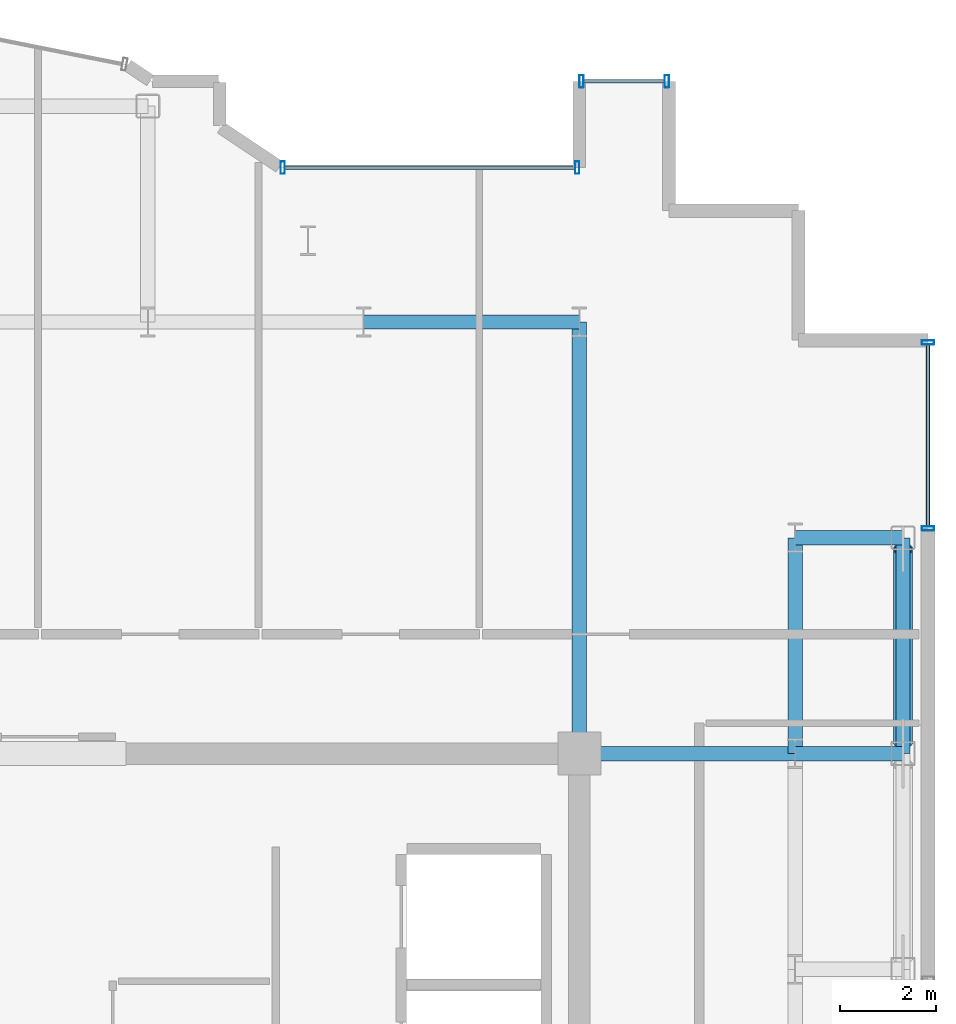
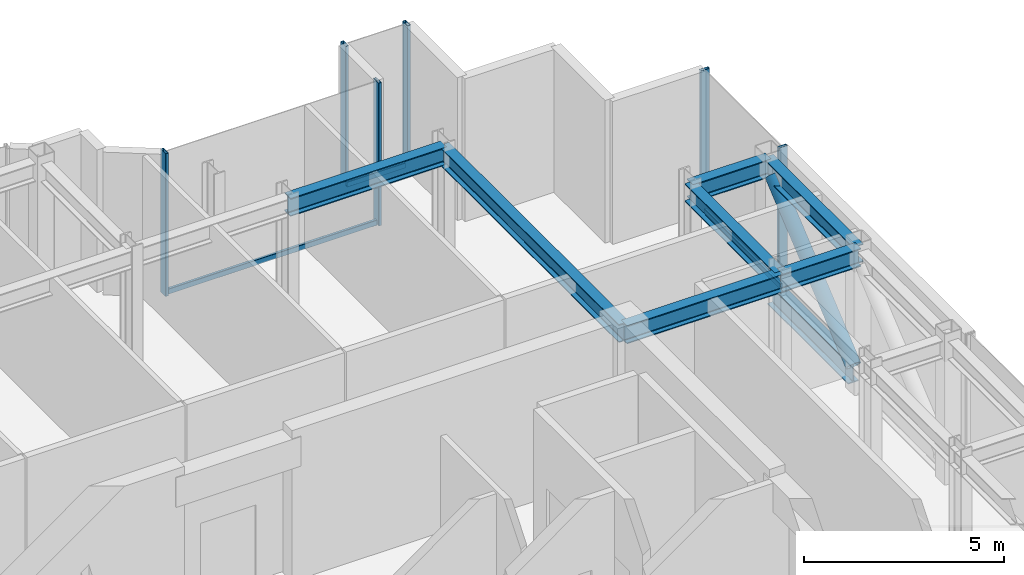
# One storey, part 11 of 18: 11 members, 7 beams, 3 elements without a shape of their own.
"""IFC4 building model written with IfcOpenShell, lengths in metres."""

from ifc_helpers import new_model, si_unit, direction, frame, origin, origin_2d, place, context, subcontext, project, spatial, hollow_rectangle, hollow_circle, i_section, extrude, source, transform, mapped, material, layer, layer_set, material_profile, profile_set, type_object, element, aggregate, save


model = new_model("IFC4")

# Units and contexts
model_context = context("Model", 3, precision=1e-05, world=origin(), true_north=direction((0.0, 1.0)))
body_context = subcontext(model_context, "Body", "Model", "MODEL_VIEW")
ifc_project = project(units=[si_unit("LENGTHUNIT", "METRE"), si_unit("AREAUNIT", "SQUARE_METRE"), si_unit("VOLUMEUNIT", "CUBIC_METRE"), si_unit("PLANEANGLEUNIT", "RADIAN"), si_unit("MASSUNIT", "GRAM", prefix="KILO")], contexts=[model_context])

# Site, building, storey
site_placement = place(None, origin())
site = spatial("IfcSite", under=ifc_project, at=site_placement, CompositionType="ELEMENT")
building_placement = place(site_placement, origin())
building = spatial("IfcBuilding", under=site, at=building_placement, Name="Nefas-Gora Pilgrimage Tower", CompositionType="ELEMENT")
storey_placement = place(building_placement, frame((0.0, 0.0, 317.800048828125)))
storey = spatial("IfcBuildingStorey", under=building, at=storey_placement, Name="L80", CompositionType="ELEMENT", Elevation=317.800048828125)

# Beams
ifc_material_1 = material(Name="Steel S355", Category="steel")
ifc_material_profile_1 = material_profile(ifc_material_1, i_section(OverallWidth=0.300048828125, OverallDepth=0.550048828125, WebThickness=0.014892578125, FlangeThickness=0.029052734375, FilletRadius=0.027099609375, at=origin_2d()), Name="HEB 550")
ifc_profile_set_1 = profile_set([ifc_material_profile_1], Name="Steel S355")
beam_type_1 = type_object("IfcBeamType", Name="BM-SPN-HEB400", PredefinedType="SPANDREL", material=ifc_profile_set_1)
shared_shape_1 = source(origin(), body_context, "Body", "SweptSolid", [
    extrude(i_section(OverallWidth=0.300048828125, OverallDepth=0.550048828125, WebThickness=0.014892578125, FlangeThickness=0.029052734375, FilletRadius=0.027099609375, at=origin_2d()), origin(), (0.0, 0.0, 1.0), 4.5),
])
beam_1_placement = place(storey_placement, frame((18.0, 9.0, 4.074951171875), z_axis=(0.0, 1.0, 0.0), x_axis=(-1.0, 0.0, 0.0)))
element("IfcBeam", 1, at=beam_1_placement, inside=storey, type_object=beam_type_1, Name="L80 SP-04 beam", PredefinedType="SPANDREL", context=body_context, shape_type="MappedRepresentation", body=[
    mapped(shared_shape_1, transform((0.0, 0.0, 0.0), x_axis=(1.0, 0.0, 0.0), y_axis=(0.0, 1.0, 0.0), z_axis=(0.0, 0.0, 1.0), scale=1.0)),
])
ifc_material_profile_2 = material_profile(ifc_material_1, i_section(OverallWidth=0.300048828125, OverallDepth=0.550048828125, WebThickness=0.014892578125, FlangeThickness=0.029052734375, FilletRadius=0.027099609375, at=origin_2d()), Name="HEB 550")
ifc_profile_set_2 = profile_set([ifc_material_profile_2], Name="Steel S355")
beam_type_2 = type_object("IfcBeamType", Name="BM-GIR-HEB550", PredefinedType="BEAM", material=ifc_profile_set_2)
shared_shape_2 = source(origin(), body_context, "Body", "SweptSolid", [
    extrude(i_section(OverallWidth=0.300048828125, OverallDepth=0.550048828125, WebThickness=0.014892578125, FlangeThickness=0.029052734375, FilletRadius=0.027099609375, at=origin_2d()), origin(), (0.0, 0.0, 1.0), 9.0),
])
beam_2_placement = place(storey_placement, frame((11.25, 9.0, 4.074951171875), z_axis=(0.0, 1.0, 0.0), x_axis=(-1.0, 0.0, 0.0)))
element("IfcBeam", 2, at=beam_2_placement, inside=storey, type_object=beam_type_2, Name="L80 G-05 beam", PredefinedType="BEAM", context=body_context, shape_type="MappedRepresentation", body=[
    mapped(shared_shape_2, transform((0.0, 0.0, 0.0), x_axis=(1.0, 0.0, 0.0), y_axis=(0.0, 1.0, 0.0), z_axis=(0.0, 0.0, 1.0), scale=1.0)),
])
shared_shape_3 = source(origin(), body_context, "Body", "SweptSolid", [
    extrude(i_section(OverallWidth=0.300048828125, OverallDepth=0.550048828125, WebThickness=0.014892578125, FlangeThickness=0.029052734375, FilletRadius=0.027099609375, at=origin_2d()), origin(), (0.0, 0.0, 1.0), 4.5),
])
for number, where, z_axis, x_axis, name in (
    (3, (6.75, 18.0, 4.074951171875), (1.0, 0.0, 0.0), (0.0, 1.0, 0.0), "L80 G-05 beam"),
    (4, (11.25, 9.0, 4.074951171875), (1.0, 0.0, 0.0), (0.0, 1.0, 0.0), "L80 G-05 beam"),
    (5, (15.75, 9.0, 4.074951171875), (0.0, 1.0, 0.0), (-1.0, 0.0, 0.0), "L80 G-05 beam"),
):
    element("IfcBeam", number, at=place(storey_placement, frame(where, z_axis=z_axis, x_axis=x_axis)), inside=storey, type_object=beam_type_2, Name=name, PredefinedType="BEAM", context=body_context, shape_type="MappedRepresentation", body=[
        mapped(shared_shape_3, transform((0.0, 0.0, 0.0), x_axis=(1.0, 0.0, 0.0), y_axis=(0.0, 1.0, 0.0), z_axis=(0.0, 0.0, 1.0), scale=1.0)),
    ])
shared_shape_4 = source(origin(), body_context, "Body", "SweptSolid", [
    extrude(i_section(OverallWidth=0.300048828125, OverallDepth=0.550048828125, WebThickness=0.014892578125, FlangeThickness=0.029052734375, FilletRadius=0.027099609375, at=origin_2d()), origin(), (0.0, 0.0, 1.0), 2.25),
])
for number, where, z_axis, x_axis, name in (
    (6, (15.75, 9.0, 4.074951171875), (1.0, 0.0, 0.0), (0.0, 1.0, 0.0), "L80 G-05 beam"),
    (7, (15.75, 13.5, 4.074951171875), (1.0, 0.0, 0.0), (0.0, 1.0, 0.0), "L80 G-05 beam"),
):
    element("IfcBeam", number, at=place(storey_placement, frame(where, z_axis=z_axis, x_axis=x_axis)), inside=storey, type_object=beam_type_2, Name=name, PredefinedType="BEAM", context=body_context, shape_type="MappedRepresentation", body=[
        mapped(shared_shape_4, transform((0.0, 0.0, 0.0), x_axis=(1.0, 0.0, 0.0), y_axis=(0.0, 1.0, 0.0), z_axis=(0.0, 0.0, 1.0), scale=1.0)),
    ])

# Members
ifc_material_2 = material(Name="Steel S460", Category="steel")
ifc_material_profile_3 = material_profile(ifc_material_2, hollow_circle(Radius=0.203125, WallThickness=0.02490234375, at=origin_2d()), Name="CHS 406.4x25")
ifc_profile_set_3 = profile_set([ifc_material_profile_3], Name="Steel S460")
member_type_1 = type_object("IfcMemberType", Name="MEM-BELT-406", PredefinedType="BRACE", material=ifc_profile_set_3)
shared_shape_5 = source(origin(), body_context, "Body", "SweptSolid", [
    extrude(hollow_circle(Radius=0.203125, WallThickness=0.02490234375, at=origin_2d()), origin(), (0.0, 0.0, 1.0), 5.238037109375),
])
member_1_placement = place(storey_placement, frame((18.0, 9.238037109375, 0.54833984375), z_axis=(0.0, 0.768221279597, 0.640184399664), x_axis=(-1.0, 0.0, 0.0)))
element("IfcMember", 8, at=member_1_placement, inside=storey, type_object=member_type_1, Name="L80 Perimeter Belt-Truss Diagonal 8", PredefinedType="BRACE", context=body_context, shape_type="MappedRepresentation", body=[
    mapped(shared_shape_5, transform((0.0, 0.0, 0.0), x_axis=(1.0, 0.0, 0.0), y_axis=(0.0, 1.0, 0.0), z_axis=(0.0, 0.0, 1.0), scale=1.0)),
])
ifc_material_profile_4 = material_profile(ifc_material_2, i_section(OverallWidth=0.300048828125, OverallDepth=0.64990234375, WebThickness=0.01611328125, FlangeThickness=0.031005859375, FilletRadius=0.027099609375, at=origin_2d()), Name="HEB 650")
ifc_profile_set_4 = profile_set([ifc_material_profile_4], Name="Steel S460")
member_type_2 = type_object("IfcMemberType", Name="MEM-BELT-CHORD", PredefinedType="CHORD", material=ifc_profile_set_4)
shared_shape_6 = source(origin(), body_context, "Body", "SweptSolid", [
    extrude(i_section(OverallWidth=0.300048828125, OverallDepth=0.64990234375, WebThickness=0.01611328125, FlangeThickness=0.031005859375, FilletRadius=0.027099609375, at=origin_2d()), origin(), (0.0, 0.0, 1.0), 4.02392578125),
])
member_2_placement = place(storey_placement, frame((18.0, 9.238037109375, 0.349853515625), z_axis=(0.0, 1.0, 0.0), x_axis=(-1.0, 0.0, 0.0)))
element("IfcMember", 9, at=member_2_placement, inside=storey, type_object=member_type_2, Name="L80 Perimeter Belt-Truss Bottom Chord 8", PredefinedType="CHORD", context=body_context, shape_type="MappedRepresentation", body=[
    mapped(shared_shape_6, transform((0.0, 0.0, 0.0), x_axis=(1.0, 0.0, 0.0), y_axis=(0.0, 1.0, 0.0), z_axis=(0.0, 0.0, 1.0), scale=1.0)),
])

# Curtain wall, member
ifc_material_3 = material(Name="Dark ceramic-fritted solar-control aluminium-glass curtain wall", Category="aluminium")
ifc_layer_1 = layer(ifc_material_3, 0.219970703125)
ifc_layer_set_1 = layer_set([ifc_layer_1], Name="Dark ceramic-fritted solar-control aluminium-glass curtain wall")
curtain_wall_type_1 = type_object("IfcCurtainWallType", Name="CW-SYS-5", PredefinedType="NOTDEFINED", material=ifc_layer_set_1)
curtain_wall_1_placement = place(storey_placement, origin())
curtain_wall_1 = element("IfcCurtainWall", 10, at=curtain_wall_1_placement, inside=storey, type_object=curtain_wall_type_1, Name="L80 Unitised Curtain Wall CW5", PredefinedType="NOTDEFINED")
ifc_material_4 = material(Name="Anodised architectural aluminium", Category="aluminium")
ifc_material_profile_5 = material_profile(ifc_material_4, hollow_rectangle(XDim=0.080078125, YDim=0.159912109375, WallThickness=0.00439453125, InnerFilletRadius=0.00439453125, OuterFilletRadius=0.009033203125, at=origin_2d()), Name="ALU TRANSOM 80x160")
ifc_profile_set_5 = profile_set([ifc_material_profile_5], Name="Anodised architectural aluminium")
member_type_3 = type_object("IfcMemberType", Name="CWM-TRN-5", PredefinedType="USERDEFINED", material=ifc_profile_set_5)
shared_shape_7 = source(origin(), body_context, "Body", "SweptSolid", [
    extrude(hollow_rectangle(XDim=0.080078125, YDim=0.159912109375, WallThickness=0.00439453125, InnerFilletRadius=0.00439453125, OuterFilletRadius=0.009033203125, at=origin_2d()), origin(), (0.0, 0.0, 1.0), 6.052001953125),
])
member_3_placement = place(storey_placement, frame((11.159912109375, 21.219970703125, 0.050048828125), z_axis=(-1.0, 0.0, 0.0), x_axis=(0.0, -1.0, 0.0)))
member_3 = element("IfcMember", 11, at=member_3_placement, type_object=member_type_3, Name="CW5 Spandrel Transom", ObjectType="TRANSOM", PredefinedType="USERDEFINED", context=body_context, shape_type="MappedRepresentation", body=[
    mapped(shared_shape_7, transform((0.0, 0.0, 0.0), x_axis=(1.0, 0.0, 0.0), y_axis=(0.0, 1.0, 0.0), z_axis=(0.0, 0.0, 1.0), scale=1.0)),
])

ifc_layer_2 = layer(ifc_material_3, 0.219970703125)
ifc_layer_set_2 = layer_set([ifc_layer_2], Name="Dark ceramic-fritted solar-control aluminium-glass curtain wall")
curtain_wall_type_2 = type_object("IfcCurtainWallType", Name="CW-SYS-4", PredefinedType="NOTDEFINED", material=ifc_layer_set_2)
curtain_wall_2_placement = place(storey_placement, origin())
curtain_wall_2 = element("IfcCurtainWall", 12, at=curtain_wall_2_placement, inside=storey, type_object=curtain_wall_type_2, Name="L80 Unitised Curtain Wall CW4", PredefinedType="NOTDEFINED")
ifc_material_profile_6 = material_profile(ifc_material_4, hollow_rectangle(XDim=0.080078125, YDim=0.159912109375, WallThickness=0.00439453125, InnerFilletRadius=0.00439453125, OuterFilletRadius=0.009033203125, at=origin_2d()), Name="ALU TRANSOM 80x160")
ifc_profile_set_6 = profile_set([ifc_material_profile_6], Name="Anodised architectural aluminium")
member_type_4 = type_object("IfcMemberType", Name="CWM-TRN-4", PredefinedType="USERDEFINED", material=ifc_profile_set_6)
shared_shape_8 = source(origin(), body_context, "Body", "SweptSolid", [
    extrude(hollow_rectangle(XDim=0.080078125, YDim=0.159912109375, WallThickness=0.00439453125, InnerFilletRadius=0.00439453125, OuterFilletRadius=0.009033203125, at=origin_2d()), origin(), (0.0, 0.0, 1.0), 1.68994140625),
])
member_4_placement = place(storey_placement, frame((13.030029296875, 23.02001953125, 0.050048828125), z_axis=(-1.0, 0.0, 0.0), x_axis=(0.0, -1.0, 0.0)))
member_4 = element("IfcMember", 13, at=member_4_placement, type_object=member_type_4, Name="CW4 Spandrel Transom", ObjectType="TRANSOM", PredefinedType="USERDEFINED", context=body_context, shape_type="MappedRepresentation", body=[
    mapped(shared_shape_8, transform((0.0, 0.0, 0.0), x_axis=(1.0, 0.0, 0.0), y_axis=(0.0, 1.0, 0.0), z_axis=(0.0, 0.0, 1.0), scale=1.0)),
])

# Curtain wall, members
curtain_wall_3_placement = place(storey_placement, origin())
curtain_wall_3 = element("IfcCurtainWall", 14, at=curtain_wall_3_placement, inside=storey, type_object=curtain_wall_type_2, Name="L80 Unitised Curtain Wall CW4", PredefinedType="NOTDEFINED")
ifc_material_profile_7 = material_profile(ifc_material_4, hollow_rectangle(XDim=0.090087890625, YDim=0.260009765625, WallThickness=0.006103515625, InnerFilletRadius=0.006103515625, OuterFilletRadius=0.011962890625, at=origin_2d()), Name="ALU MULLION 90x260")
ifc_profile_set_7 = profile_set([ifc_material_profile_7], Name="Anodised architectural aluminium")
member_type_5 = type_object("IfcMemberType", Name="CWM-MUL-4", PredefinedType="MULLION", material=ifc_profile_set_7)
shared_shape_9 = source(origin(), body_context, "Body", "SweptSolid", [
    extrude(hollow_rectangle(XDim=0.090087890625, YDim=0.260009765625, WallThickness=0.006103515625, InnerFilletRadius=0.006103515625, OuterFilletRadius=0.011962890625, at=origin_2d()), origin(), (0.0, 0.0, 1.0), 4.349853515625),
])
member_5_placement = place(storey_placement, frame((18.52001953125, 13.695068359375, 0.0), z_axis=(0.0, 0.0, 1.0), x_axis=(0.0, 1.0, 0.0)))
member_5 = element("IfcMember", 15, at=member_5_placement, type_object=member_type_5, Name="CW4 Mullion 1", PredefinedType="MULLION", context=body_context, shape_type="MappedRepresentation", body=[
    mapped(shared_shape_9, transform((0.0, 0.0, 0.0), x_axis=(1.0, 0.0, 0.0), y_axis=(0.0, 1.0, 0.0), z_axis=(0.0, 0.0, 1.0), scale=1.0)),
])
member_6_placement = place(storey_placement, frame((18.52001953125, 17.574951171875, 0.0), z_axis=(0.0, 0.0, 1.0), x_axis=(0.0, 1.0, 0.0)))
member_6 = element("IfcMember", 16, at=member_6_placement, type_object=member_type_5, Name="CW4 Mullion 2", PredefinedType="MULLION", context=body_context, shape_type="MappedRepresentation", body=[
    mapped(shared_shape_9, transform((0.0, 0.0, 0.0), x_axis=(1.0, 0.0, 0.0), y_axis=(0.0, 1.0, 0.0), z_axis=(0.0, 0.0, 1.0), scale=1.0)),
])

# Member
member_7_placement = place(storey_placement, frame((13.074951171875, 23.02001953125, 0.0), z_axis=(0.0, 0.0, 1.0), x_axis=(-1.0, 0.0, 0.0)))
member_7 = element("IfcMember", 17, at=member_7_placement, type_object=member_type_5, Name="CW4 Mullion 1", PredefinedType="MULLION", context=body_context, shape_type="MappedRepresentation", body=[
    mapped(shared_shape_9, transform((0.0, 0.0, 0.0), x_axis=(1.0, 0.0, 0.0), y_axis=(0.0, 1.0, 0.0), z_axis=(0.0, 0.0, 1.0), scale=1.0)),
])

member_8_placement = place(storey_placement, frame((11.294921875, 23.02001953125, 0.0), z_axis=(0.0, 0.0, 1.0), x_axis=(-1.0, 0.0, 0.0)))
member_8 = element("IfcMember", 18, at=member_8_placement, type_object=member_type_5, Name="CW4 Mullion 2", PredefinedType="MULLION", context=body_context, shape_type="MappedRepresentation", body=[
    mapped(shared_shape_9, transform((0.0, 0.0, 0.0), x_axis=(1.0, 0.0, 0.0), y_axis=(0.0, 1.0, 0.0), z_axis=(0.0, 0.0, 1.0), scale=1.0)),
])

aggregate(curtain_wall_2, [member_7, member_8, member_4])

shared_shape_10 = source(origin(), body_context, "Body", "SweptSolid", [
    extrude(hollow_rectangle(XDim=0.080078125, YDim=0.159912109375, WallThickness=0.00439453125, InnerFilletRadius=0.00439453125, OuterFilletRadius=0.009033203125, at=origin_2d()), origin(), (0.0, 0.0, 1.0), 3.7900390625),
])
member_9_placement = place(storey_placement, frame((18.52001953125, 13.739990234375, 0.050048828125), z_axis=(0.0, 1.0, 0.0), x_axis=(-1.0, 0.0, 0.0)))
member_9 = element("IfcMember", 19, at=member_9_placement, type_object=member_type_4, Name="CW4 Spandrel Transom", ObjectType="TRANSOM", PredefinedType="USERDEFINED", context=body_context, shape_type="MappedRepresentation", body=[
    mapped(shared_shape_10, transform((0.0, 0.0, 0.0), x_axis=(1.0, 0.0, 0.0), y_axis=(0.0, 1.0, 0.0), z_axis=(0.0, 0.0, 1.0), scale=1.0)),
])

aggregate(curtain_wall_3, [member_5, member_6, member_9])

ifc_material_profile_8 = material_profile(ifc_material_4, hollow_rectangle(XDim=0.090087890625, YDim=0.260009765625, WallThickness=0.006103515625, InnerFilletRadius=0.006103515625, OuterFilletRadius=0.011962890625, at=origin_2d()), Name="ALU MULLION 90x260")
ifc_profile_set_8 = profile_set([ifc_material_profile_8], Name="Anodised architectural aluminium")
member_type_6 = type_object("IfcMemberType", Name="CWM-MUL-5", PredefinedType="MULLION", material=ifc_profile_set_8)
shared_shape_11 = source(origin(), body_context, "Body", "SweptSolid", [
    extrude(hollow_rectangle(XDim=0.090087890625, YDim=0.260009765625, WallThickness=0.006103515625, InnerFilletRadius=0.006103515625, OuterFilletRadius=0.011962890625, at=origin_2d()), origin(), (0.0, 0.0, 1.0), 4.349853515625),
])
member_10_placement = place(storey_placement, frame((11.205078125, 21.219970703125, 0.0), z_axis=(0.0, 0.0, 1.0), x_axis=(-1.0, 0.0, 0.0)))
member_10 = element("IfcMember", 20, at=member_10_placement, type_object=member_type_6, Name="CW5 Mullion 1", PredefinedType="MULLION", context=body_context, shape_type="MappedRepresentation", body=[
    mapped(shared_shape_11, transform((0.0, 0.0, 0.0), x_axis=(1.0, 0.0, 0.0), y_axis=(0.0, 1.0, 0.0), z_axis=(0.0, 0.0, 1.0), scale=1.0)),
])

member_11_placement = place(storey_placement, frame((5.06298828125, 21.219970703125, 0.0), z_axis=(0.0, 0.0, 1.0), x_axis=(-1.0, 0.0, 0.0)))
member_11 = element("IfcMember", 21, at=member_11_placement, type_object=member_type_6, Name="CW5 Mullion 2", PredefinedType="MULLION", context=body_context, shape_type="MappedRepresentation", body=[
    mapped(shared_shape_11, transform((0.0, 0.0, 0.0), x_axis=(1.0, 0.0, 0.0), y_axis=(0.0, 1.0, 0.0), z_axis=(0.0, 0.0, 1.0), scale=1.0)),
])

aggregate(curtain_wall_1, [member_10, member_11, member_3])

save(model, "model.ifc")
